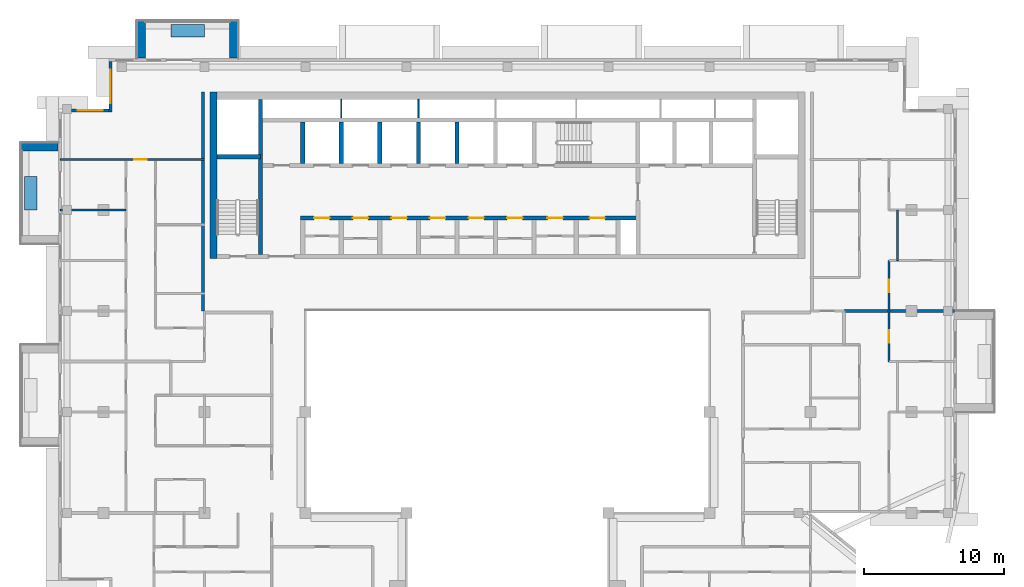
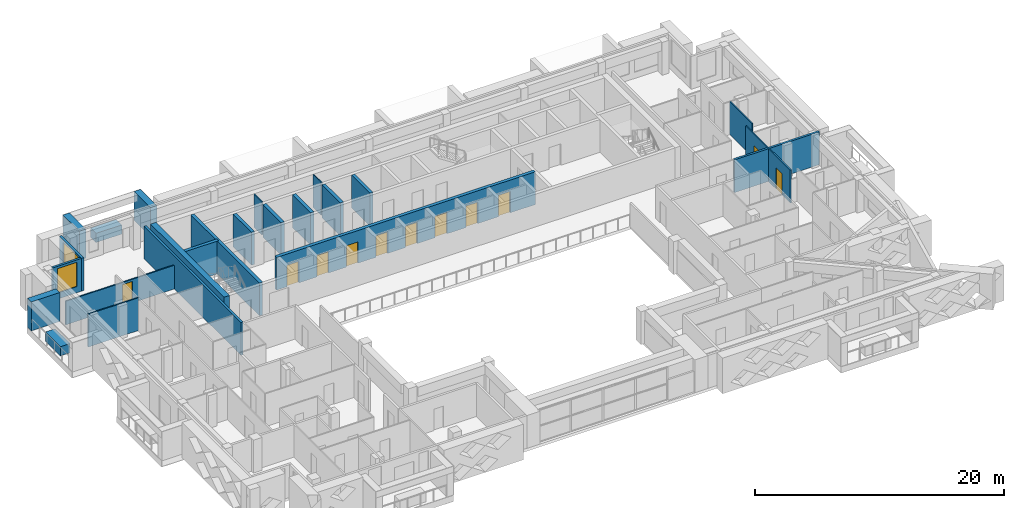
# One storey, part 10 of 19: 24 walls, 11 doors, 2 windows, 13 openings.
"""IFC4 building model written with IfcOpenShell, lengths in metres."""

from ifc_helpers import new_model, si_unit, direction, frame, frame_2d, origin, place, context, subcontext, project, spatial, rectangle, extrude, material, layer, layer_set, type_object, element, fill, save


model = new_model("IFC4")

# Units and contexts
model_context = context("Model", 3, precision=1e-05, world=origin(), true_north=direction((0.0, 1.0)))
body_context = subcontext(model_context, "Body", "Model", "MODEL_VIEW")
ifc_project = project(units=[si_unit("LENGTHUNIT", "METRE"), si_unit("AREAUNIT", "SQUARE_METRE"), si_unit("VOLUMEUNIT", "CUBIC_METRE"), si_unit("PLANEANGLEUNIT", "RADIAN"), si_unit("MASSUNIT", "GRAM", prefix="KILO")], contexts=[model_context])

# Site, building, storey
site_placement = place(None, origin())
site = spatial("IfcSite", under=ifc_project, at=site_placement, CompositionType="ELEMENT")
building_placement = place(site_placement, origin())
building = spatial("IfcBuilding", under=site, at=building_placement, Name="Saffron Iwan Residences", CompositionType="ELEMENT")
storey_placement = place(building_placement, frame((0.0, 0.0, 239.5)))
storey = spatial("IfcBuildingStorey", under=building, at=storey_placement, Name="L64", CompositionType="ELEMENT", Elevation=239.5)

# Walls
ifc_material_1 = material(Name="Concrete C50/60 white painted", Category="concrete")
ifc_layer_1 = layer(ifc_material_1, 0.60009765625)
ifc_layer_set_1 = layer_set([ifc_layer_1], Name="Concrete C50/60 white painted")
wall_type_1 = type_object("IfcWallType", Name="BALCONY FIN 600", PredefinedType="SOLIDWALL", material=ifc_layer_set_1)
for number, where, z_axis, x_axis, name in (
    (1, (30.89990234375, 80.449951171875, 0.0), (0.0, 0.0, 1.0), (0.0, 1.0, 0.0), "Balcony fin L64 F5-3a"),
    (2, (24.300048828125, 80.449951171875, 0.0), (0.0, 0.0, 1.0), (0.0, 1.0, 0.0), "Balcony fin L64 F5-3b"),
    (3, (18.35009765625, 74.10009765625, 0.0), (0.0, 0.0, 1.0), (-1.0, 0.0, 0.0), "Balcony fin L64 F8-0a"),
):
    element("IfcWall", number, at=place(storey_placement, frame(where, z_axis=z_axis, x_axis=x_axis)), inside=storey, type_object=wall_type_1, Name=name, PredefinedType="SOLIDWALL", context=body_context, shape_type="SweptSolid", body=[
        extrude(rectangle(XDim=2.650146484375, YDim=0.60009765625, at=frame_2d((1.3251953125, 0.0))), origin(), (0.0, 0.0, 1.0), 2.85009765625),
    ])
ifc_material_2 = material(Name="Concrete C35/45 white painted", Category="concrete")
ifc_layer_2 = layer(ifc_material_2, 0.14990234375)
ifc_layer_set_2 = layer_set([ifc_layer_2], Name="Concrete C35/45 white painted")
wall_type_2 = type_object("IfcWallType", Name="BALCONY PLANTER", PredefinedType="SOLIDWALL", material=ifc_layer_set_2)
wall_1_placement = place(storey_placement, frame((28.800048828125, 82.375, 0.0), z_axis=(0.0, 0.0, 1.0), x_axis=(-1.0, 0.0, 0.0)))
element("IfcWall", 4, at=wall_1_placement, inside=storey, type_object=wall_type_2, Name="PLANTER L64 F5-3", PredefinedType="SOLIDWALL", context=body_context, shape_type="SweptSolid", body=[
    extrude(rectangle(XDim=2.400146484375, YDim=0.89990234375, at=frame_2d((1.2001953125, 0.0))), origin(), (0.0, 0.0, 1.0), 0.89990234375),
])
wall_2_placement = place(storey_placement, frame((16.425048828125, 72.0, 0.0), z_axis=(0.0, 0.0, 1.0), x_axis=(0.0, -1.0, 0.0)))
element("IfcWall", 5, at=wall_2_placement, inside=storey, type_object=wall_type_2, Name="PLANTER L64 F8-0", PredefinedType="SOLIDWALL", context=body_context, shape_type="SweptSolid", body=[
    extrude(rectangle(XDim=2.39990234375, YDim=0.89990234375, at=frame_2d((1.199951171875, 0.0))), origin(), (0.0, 0.0, 1.0), 0.89990234375),
])

# Wall, opening, window
ifc_material_3 = material(Name="Concrete C40/50", Category="concrete")
ifc_layer_3 = layer(ifc_material_3, 0.199951171875)
ifc_layer_set_3 = layer_set([ifc_layer_3], Name="Concrete C40/50")
wall_type_3 = type_object("IfcWallType", Name="EXTERNAL WALL 200", PredefinedType="SOLIDWALL", material=ifc_layer_set_3)
wall_3_placement = place(storey_placement, frame((22.10009765625, 80.199951171875, 0.0), z_axis=(0.0, 0.0, 1.0), x_axis=(0.0, -1.0, 0.0)))
wall_3 = element("IfcWall", 6, at=wall_3_placement, inside=storey, type_object=wall_type_3, Name="External wall L64 F6.0", PredefinedType="SOLIDWALL", context=body_context, shape_type="SweptSolid", body=[
    extrude(rectangle(XDim=3.599853515625, YDim=0.199951171875, at=frame_2d((1.7998046875, 0.0))), origin(), (0.0, 0.0, 1.0), 3.219970703125),
])
opening_1_placement = place(wall_3_placement, frame((0.60009765625, 0.0, 0.60009765625)))
opening_1 = element("IfcOpeningElement", 7, at=opening_1_placement, cuts=wall_3, Name="Opening W1", PredefinedType="OPENING", context=body_context, shape_type="SweptSolid", body=[
    extrude(rectangle(XDim=2.39990234375, YDim=2.39990234375, at=frame_2d((1.199951171875, 1.199951171875))), frame((0.0, 0.10986328125, 0.0), z_axis=(0.0, -1.0, 0.0), x_axis=(1.0, 0.0, 0.0)), (0.0, 0.0, 1.0), 0.219970703125),
])
ifc_material_4 = material(Name="Clear glass, laminated double glazed", Category="glass")
window_type_1 = type_object("IfcWindowType", Name="WINDOW 2400 x 2400", PartitioningType="DOUBLE_PANEL_VERTICAL", PredefinedType="WINDOW", material=ifc_material_4)
window_1_placement = place(opening_1_placement, origin())
window_1 = element("IfcWindow", 8, at=window_1_placement, inside=storey, type_object=window_type_1, Name="Window L64 F6.0", OverallHeight=2.39990234375, OverallWidth=2.39990234375, PartitioningType="DOUBLE_PANEL_VERTICAL", PredefinedType="WINDOW", context=body_context, shape_type="SweptSolid", body=[
    extrude(rectangle(XDim=2.39990234375, YDim=2.39990234375, at=frame_2d((1.199951171875, 1.199951171875))), frame((0.0, 0.030029296875, 0.0), z_axis=(0.0, -1.0, 0.0), x_axis=(1.0, 0.0, 0.0)), (0.0, 0.0, 1.0), 0.06005859375),
])
fill(opening_1, window_1)

wall_4_placement = place(storey_placement, frame((22.0, 76.699951171875, 0.0), z_axis=(0.0, 0.0, 1.0), x_axis=(-1.0, 0.0, 0.0)))
wall_4 = element("IfcWall", 9, at=wall_4_placement, inside=storey, type_object=wall_type_3, Name="External wall L64 F7.0", PredefinedType="SOLIDWALL", context=body_context, shape_type="SweptSolid", body=[
    extrude(rectangle(XDim=2.675048828125, YDim=0.199951171875, at=frame_2d((1.33740234375, 0.0))), origin(), (0.0, 0.0, 1.0), 3.219970703125),
])
opening_2_placement = place(wall_4_placement, frame((0.4375, 0.0, 0.60009765625)))
opening_2 = element("IfcOpeningElement", 10, at=opening_2_placement, cuts=wall_4, Name="Opening W8", PredefinedType="OPENING", context=body_context, shape_type="SweptSolid", body=[
    extrude(rectangle(XDim=1.800048828125, YDim=2.39990234375, at=frame_2d((0.89990234375, 1.199951171875))), frame((0.0, 0.10986328125, 0.0), z_axis=(0.0, -1.0, 0.0), x_axis=(1.0, 0.0, 0.0)), (0.0, 0.0, 1.0), 0.219970703125),
])
window_type_2 = type_object("IfcWindowType", Name="WINDOW 1800 x 2400", PartitioningType="DOUBLE_PANEL_VERTICAL", PredefinedType="WINDOW", material=ifc_material_4)
window_2_placement = place(opening_2_placement, origin())
window_2 = element("IfcWindow", 11, at=window_2_placement, inside=storey, type_object=window_type_2, Name="Window L64 F7.0", OverallHeight=2.39990234375, OverallWidth=1.800048828125, PartitioningType="DOUBLE_PANEL_VERTICAL", PredefinedType="WINDOW", context=body_context, shape_type="SweptSolid", body=[
    extrude(rectangle(XDim=1.800048828125, YDim=2.39990234375, at=frame_2d((0.89990234375, 1.199951171875))), frame((0.0, 0.030029296875, 0.0), z_axis=(0.0, -1.0, 0.0), x_axis=(1.0, 0.0, 0.0)), (0.0, 0.0, 1.0), 0.06005859375),
])
fill(opening_2, window_2)

# Walls
ifc_material_5 = material(Name="Fire-rated gypsum board wall")
ifc_layer_4 = layer(ifc_material_5, 0.199951171875)
ifc_layer_set_4 = layer_set([ifc_layer_4], Name="Fire-rated gypsum board wall")
wall_type_4 = type_object("IfcWallType", Name="Flat demising wall 200", PredefinedType="SOLIDWALL", material=ifc_layer_set_4)
wall_5_placement = place(storey_placement, frame((74.39990234375, 62.39990234375, 0.0), z_axis=(0.0, 0.0, 1.0), x_axis=(1.0, 0.0, 0.0)))
element("IfcWall", 12, at=wall_5_placement, inside=storey, type_object=wall_type_4, Name="W-L64-DEMISE-h62.4-74.4", PredefinedType="SOLIDWALL", context=body_context, shape_type="SweptSolid", body=[
    extrude(rectangle(XDim=7.875, YDim=0.199951171875, at=frame_2d((3.9375, 0.0))), origin(), (0.0, 0.0, 1.0), 3.219970703125),
])
ifc_material_6 = material(Name="Gypsum board partition")
ifc_layer_5 = layer(ifc_material_6, 0.1201171875)
ifc_layer_set_5 = layer_set([ifc_layer_5], Name="Gypsum board partition")
wall_type_5 = type_object("IfcWallType", Name="Flat partition 120", PredefinedType="PARTITIONING", material=ifc_layer_set_5)
wall_6_placement = place(storey_placement, frame((18.52490234375, 69.60009765625, 0.0), z_axis=(0.0, 0.0, 1.0), x_axis=(1.0, 0.0, 0.0)))
element("IfcWall", 13, at=wall_6_placement, inside=storey, type_object=wall_type_5, Name="W-L64-PART-h69.6-18.525", PredefinedType="PARTITIONING", context=body_context, shape_type="SweptSolid", body=[
    extrude(rectangle(XDim=4.675048828125, YDim=0.1201171875, at=frame_2d((2.33740234375, 0.0))), origin(), (0.0, 0.0, 1.0), 3.219970703125),
])

# Wall, opening, door
wall_7_placement = place(storey_placement, frame((18.52490234375, 73.199951171875, 0.0), z_axis=(0.0, 0.0, 1.0), x_axis=(1.0, 0.0, 0.0)))
wall_7 = element("IfcWall", 14, at=wall_7_placement, inside=storey, type_object=wall_type_5, Name="W-L64-PART-h73.2-18.525", PredefinedType="PARTITIONING", context=body_context, shape_type="SweptSolid", body=[
    extrude(rectangle(XDim=10.275146484375, YDim=0.1201171875, at=frame_2d((5.1376953125, 0.0))), origin(), (0.0, 0.0, 1.0), 2.320068359375),
])
opening_3_placement = place(wall_7_placement, frame((5.27490234375, 0.0, 0.0)))
opening_3 = element("IfcOpeningElement", 15, at=opening_3_placement, cuts=wall_7, Name="Opening FD2", PredefinedType="OPENING", context=body_context, shape_type="SweptSolid", body=[
    extrude(rectangle(XDim=0.89990234375, YDim=2.10009765625, at=frame_2d((0.449951171875, 1.050048828125))), frame((0.0, 0.070068359375, 0.0), z_axis=(0.0, -1.0, 0.0), x_axis=(1.0, 0.0, 0.0)), (0.0, 0.0, 1.0), 0.14013671875),
])
ifc_material_7 = material(Name="Timber door", Category="wood")
door_type_1 = type_object("IfcDoorType", Name="Flat door 900", OperationType="NOTDEFINED", PredefinedType="DOOR", material=ifc_material_7)
door_1_placement = place(opening_3_placement, origin())
door_1 = element("IfcDoor", 16, at=door_1_placement, inside=storey, type_object=door_type_1, Name="Door L64-029", OperationType="SINGLE_SWING_LEFT", OverallHeight=2.10009765625, OverallWidth=0.89990234375, PredefinedType="DOOR", context=body_context, shape_type="SweptSolid", body=[
    extrude(rectangle(XDim=0.89990234375, YDim=2.10009765625, at=frame_2d((0.449951171875, 1.050048828125))), frame((0.0, 0.02490234375, 0.0), z_axis=(0.0, -1.0, 0.0), x_axis=(1.0, 0.0, 0.0)), (0.0, 0.0, 1.0), 0.050048828125),
])
fill(opening_3, door_1)

# Wall, openings, doors
wall_8_placement = place(storey_placement, frame((77.60009765625, 58.800048828125, 0.0), z_axis=(0.0, 0.0, 1.0), x_axis=(0.0, 1.0, 0.0)))
wall_8 = element("IfcWall", 17, at=wall_8_placement, inside=storey, type_object=wall_type_5, Name="W-L64-PART-v77.6-58.8", PredefinedType="PARTITIONING", context=body_context, shape_type="SweptSolid", body=[
    extrude(rectangle(XDim=7.199951171875, YDim=0.1201171875, at=frame_2d((3.60009765625, 0.0))), origin(), (0.0, 0.0, 1.0), 3.219970703125),
])
opening_4_placement = place(wall_8_placement, frame((1.35009765625, 0.0, 0.0)))
opening_4 = element("IfcOpeningElement", 18, at=opening_4_placement, cuts=wall_8, Name="Opening FD2", PredefinedType="OPENING", context=body_context, shape_type="SweptSolid", body=[
    extrude(rectangle(XDim=0.89990234375, YDim=2.10009765625, at=frame_2d((0.449951171875, 1.050048828125))), frame((0.0, 0.070068359375, 0.0), z_axis=(0.0, -1.0, 0.0), x_axis=(1.0, 0.0, 0.0)), (0.0, 0.0, 1.0), 0.14013671875),
])
opening_5_placement = place(wall_8_placement, frame((4.949951171875, 0.0, 0.0)))
opening_5 = element("IfcOpeningElement", 19, at=opening_5_placement, cuts=wall_8, Name="Opening FD2", PredefinedType="OPENING", context=body_context, shape_type="SweptSolid", body=[
    extrude(rectangle(XDim=0.89990234375, YDim=2.10009765625, at=frame_2d((0.449951171875, 1.050048828125))), frame((0.0, 0.070068359375, 0.0), z_axis=(0.0, -1.0, 0.0), x_axis=(1.0, 0.0, 0.0)), (0.0, 0.0, 1.0), 0.14013671875),
])
door_2_placement = place(opening_4_placement, origin())
door_2 = element("IfcDoor", 20, at=door_2_placement, inside=storey, type_object=door_type_1, Name="Door L64-016", OperationType="SINGLE_SWING_LEFT", OverallHeight=2.10009765625, OverallWidth=0.89990234375, PredefinedType="DOOR", context=body_context, shape_type="SweptSolid", body=[
    extrude(rectangle(XDim=0.89990234375, YDim=2.10009765625, at=frame_2d((0.449951171875, 1.050048828125))), frame((0.0, 0.02490234375, 0.0), z_axis=(0.0, -1.0, 0.0), x_axis=(1.0, 0.0, 0.0)), (0.0, 0.0, 1.0), 0.050048828125),
])
fill(opening_4, door_2)
door_3_placement = place(opening_5_placement, origin())
door_3 = element("IfcDoor", 21, at=door_3_placement, inside=storey, type_object=door_type_1, Name="Door L64-035", OperationType="SINGLE_SWING_LEFT", OverallHeight=2.10009765625, OverallWidth=0.89990234375, PredefinedType="DOOR", context=body_context, shape_type="SweptSolid", body=[
    extrude(rectangle(XDim=0.89990234375, YDim=2.10009765625, at=frame_2d((0.449951171875, 1.050048828125))), frame((0.0, 0.02490234375, 0.0), z_axis=(0.0, -1.0, 0.0), x_axis=(1.0, 0.0, 0.0)), (0.0, 0.0, 1.0), 0.050048828125),
])
fill(opening_5, door_3)

# Walls
wall_9_placement = place(storey_placement, frame((78.199951171875, 66.0, 0.0), z_axis=(0.0, 0.0, 1.0), x_axis=(0.0, 1.0, 0.0)))
element("IfcWall", 22, at=wall_9_placement, inside=storey, type_object=wall_type_5, Name="W-L64-PART-v78.2-66", PredefinedType="PARTITIONING", context=body_context, shape_type="SweptSolid", body=[
    extrude(rectangle(XDim=3.60009765625, YDim=0.1201171875, at=frame_2d((1.800048828125, 0.0))), origin(), (0.0, 0.0, 1.0), 3.219970703125),
])
ifc_layer_6 = layer(ifc_material_5, 0.199951171875)
ifc_layer_set_6 = layer_set([ifc_layer_6], Name="Fire-rated gypsum board wall")
wall_type_6 = type_object("IfcWallType", Name="Gallery wall 200", PredefinedType="SOLIDWALL", material=ifc_layer_set_6)
wall_10_placement = place(storey_placement, frame((28.699951171875, 62.39990234375, 0.0), z_axis=(0.0, 0.0, 1.0), x_axis=(0.0, 1.0, 0.0)))
element("IfcWall", 23, at=wall_10_placement, inside=storey, type_object=wall_type_6, Name="W-L64-CORR-v28.8-62.4", PredefinedType="SOLIDWALL", context=body_context, shape_type="SweptSolid", body=[
    extrude(rectangle(XDim=15.60009765625, YDim=0.199951171875, at=frame_2d((7.800048828125, 0.0))), origin(), (0.0, 0.0, 1.0), 3.219970703125),
])
ifc_material_8 = material(Name="Fire-rated plasterboard partition")
ifc_layer_7 = layer(ifc_material_8, 0.10009765625)
ifc_layer_set_7 = layer_set([ifc_layer_7], Name="Fire-rated plasterboard partition")
wall_type_7 = type_object("IfcWallType", Name="Riser partition 100", PredefinedType="PARTITIONING", material=ifc_layer_set_7)
for number, where, z_axis, x_axis, name in (
    (24, (38.550048828125, 76.175048828125, 0.0), (0.0, 0.0, 1.0), (0.0, 1.0, 0.0), "Core partition P08"),
    (25, (44.050048828125, 76.175048828125, 0.0), (0.0, 0.0, 1.0), (0.0, 1.0, 0.0), "Core partition P09"),
):
    element("IfcWall", number, at=place(storey_placement, frame(where, z_axis=z_axis, x_axis=x_axis)), inside=storey, type_object=wall_type_7, Name=name, PredefinedType="PARTITIONING", context=body_context, shape_type="SweptSolid", body=[
        extrude(rectangle(XDim=1.324951171875, YDim=0.10009765625, at=frame_2d((0.66259765625, 0.0))), origin(), (0.0, 0.0, 1.0), 3.219970703125),
    ])

# Wall, openings, doors
ifc_layer_8 = layer(ifc_material_3, 0.300048828125)
ifc_layer_set_8 = layer_set([ifc_layer_8], Name="Concrete C40/50")
wall_type_8 = type_object("IfcWallType", Name="WALL CORE 300 C40/50 3220 HIGH", PredefinedType="SHEAR", material=ifc_layer_set_8)
wall_11_placement = place(storey_placement, frame((35.64990234375, 69.02490234375, 0.0), z_axis=(0.0, 0.0, 1.0), x_axis=(1.0, 0.0, 0.0)))
wall_11 = element("IfcWall", 26, at=wall_11_placement, inside=storey, type_object=wall_type_8, Name="Core wall", PredefinedType="SHEAR", context=body_context, shape_type="SweptSolid", body=[
    extrude(rectangle(XDim=24.050048828125, YDim=0.300048828125, at=frame_2d((12.02490234375, 0.0))), origin(), (0.0, 0.0, 1.0), 3.219970703125),
])
opening_6_placement = place(wall_11_placement, frame((0.97509765625, 0.0, 0.0)))
opening_6 = element("IfcOpeningElement", 27, at=opening_6_placement, cuts=wall_11, Name="Opening SR", PredefinedType="OPENING", context=body_context, shape_type="SweptSolid", body=[
    extrude(rectangle(XDim=1.10009765625, YDim=2.10009765625, at=frame_2d((0.550048828125, 1.050048828125))), frame((0.0, 0.16015625, 0.0), z_axis=(0.0, -1.0, 0.0), x_axis=(1.0, 0.0, 0.0)), (0.0, 0.0, 1.0), 0.320068359375),
])
opening_7_placement = place(wall_11_placement, frame((3.72509765625, 0.0, 0.0)))
opening_7 = element("IfcOpeningElement", 28, at=opening_7_placement, cuts=wall_11, Name="Opening SR", PredefinedType="OPENING", context=body_context, shape_type="SweptSolid", body=[
    extrude(rectangle(XDim=1.10009765625, YDim=2.10009765625, at=frame_2d((0.550048828125, 1.050048828125))), frame((0.0, 0.16015625, 0.0), z_axis=(0.0, -1.0, 0.0), x_axis=(1.0, 0.0, 0.0)), (0.0, 0.0, 1.0), 0.320068359375),
])
opening_8_placement = place(wall_11_placement, frame((6.47509765625, 0.0, 0.0)))
opening_8 = element("IfcOpeningElement", 29, at=opening_8_placement, cuts=wall_11, Name="Opening SR", PredefinedType="OPENING", context=body_context, shape_type="SweptSolid", body=[
    extrude(rectangle(XDim=1.10009765625, YDim=2.10009765625, at=frame_2d((0.550048828125, 1.050048828125))), frame((0.0, 0.16015625, 0.0), z_axis=(0.0, -1.0, 0.0), x_axis=(1.0, 0.0, 0.0)), (0.0, 0.0, 1.0), 0.320068359375),
])
opening_9_placement = place(wall_11_placement, frame((9.22509765625, 0.0, 0.0)))
opening_9 = element("IfcOpeningElement", 30, at=opening_9_placement, cuts=wall_11, Name="Opening SR", PredefinedType="OPENING", context=body_context, shape_type="SweptSolid", body=[
    extrude(rectangle(XDim=1.10009765625, YDim=2.10009765625, at=frame_2d((0.550048828125, 1.050048828125))), frame((0.0, 0.16015625, 0.0), z_axis=(0.0, -1.0, 0.0), x_axis=(1.0, 0.0, 0.0)), (0.0, 0.0, 1.0), 0.320068359375),
])
opening_10_placement = place(wall_11_placement, frame((11.97509765625, 0.0, 0.0)))
opening_10 = element("IfcOpeningElement", 31, at=opening_10_placement, cuts=wall_11, Name="Opening SR", PredefinedType="OPENING", context=body_context, shape_type="SweptSolid", body=[
    extrude(rectangle(XDim=1.10009765625, YDim=2.10009765625, at=frame_2d((0.550048828125, 1.050048828125))), frame((0.0, 0.16015625, 0.0), z_axis=(0.0, -1.0, 0.0), x_axis=(1.0, 0.0, 0.0)), (0.0, 0.0, 1.0), 0.320068359375),
])
opening_11_placement = place(wall_11_placement, frame((14.72509765625, 0.0, 0.0)))
opening_11 = element("IfcOpeningElement", 32, at=opening_11_placement, cuts=wall_11, Name="Opening SR", PredefinedType="OPENING", context=body_context, shape_type="SweptSolid", body=[
    extrude(rectangle(XDim=1.10009765625, YDim=2.10009765625, at=frame_2d((0.550048828125, 1.050048828125))), frame((0.0, 0.16015625, 0.0), z_axis=(0.0, -1.0, 0.0), x_axis=(1.0, 0.0, 0.0)), (0.0, 0.0, 1.0), 0.320068359375),
])
opening_12_placement = place(wall_11_placement, frame((17.60009765625, 0.0, 0.0)))
opening_12 = element("IfcOpeningElement", 33, at=opening_12_placement, cuts=wall_11, Name="Opening SR", PredefinedType="OPENING", context=body_context, shape_type="SweptSolid", body=[
    extrude(rectangle(XDim=1.10009765625, YDim=2.10009765625, at=frame_2d((0.550048828125, 1.050048828125))), frame((0.0, 0.16015625, 0.0), z_axis=(0.0, -1.0, 0.0), x_axis=(1.0, 0.0, 0.0)), (0.0, 0.0, 1.0), 0.320068359375),
])
opening_13_placement = place(wall_11_placement, frame((20.60009765625, 0.0, 0.0)))
opening_13 = element("IfcOpeningElement", 34, at=opening_13_placement, cuts=wall_11, Name="Opening SR", PredefinedType="OPENING", context=body_context, shape_type="SweptSolid", body=[
    extrude(rectangle(XDim=1.10009765625, YDim=2.10009765625, at=frame_2d((0.550048828125, 1.050048828125))), frame((0.0, 0.16015625, 0.0), z_axis=(0.0, -1.0, 0.0), x_axis=(1.0, 0.0, 0.0)), (0.0, 0.0, 1.0), 0.320068359375),
])
ifc_material_9 = material(Name="Steel fire door", Category="steel")
door_type_2 = type_object("IfcDoorType", Name="Service door 1100", OperationType="NOTDEFINED", PredefinedType="DOOR", material=ifc_material_9)
door_4_placement = place(opening_6_placement, origin())
door_4 = element("IfcDoor", 35, at=door_4_placement, inside=storey, type_object=door_type_2, Name="Door Switch room", OperationType="SINGLE_SWING_RIGHT", OverallHeight=2.10009765625, OverallWidth=1.10009765625, PredefinedType="DOOR", context=body_context, shape_type="SweptSolid", body=[
    extrude(rectangle(XDim=1.10009765625, YDim=2.10009765625, at=frame_2d((0.550048828125, 1.050048828125))), frame((0.0, 0.02490234375, 0.0), z_axis=(0.0, -1.0, 0.0), x_axis=(1.0, 0.0, 0.0)), (0.0, 0.0, 1.0), 0.050048828125),
])
fill(opening_6, door_4)
door_5_placement = place(opening_7_placement, origin())
door_5 = element("IfcDoor", 36, at=door_5_placement, inside=storey, type_object=door_type_2, Name="Door Furniture store", OperationType="SINGLE_SWING_LEFT", OverallHeight=2.10009765625, OverallWidth=1.10009765625, PredefinedType="DOOR", context=body_context, shape_type="SweptSolid", body=[
    extrude(rectangle(XDim=1.10009765625, YDim=2.10009765625, at=frame_2d((0.550048828125, 1.050048828125))), frame((0.0, 0.02490234375, 0.0), z_axis=(0.0, -1.0, 0.0), x_axis=(1.0, 0.0, 0.0)), (0.0, 0.0, 1.0), 0.050048828125),
])
fill(opening_7, door_5)
door_6_placement = place(opening_8_placement, origin())
door_6 = element("IfcDoor", 37, at=door_6_placement, inside=storey, type_object=door_type_2, Name="Door Housekeeping store", OperationType="SINGLE_SWING_RIGHT", OverallHeight=2.10009765625, OverallWidth=1.10009765625, PredefinedType="DOOR", context=body_context, shape_type="SweptSolid", body=[
    extrude(rectangle(XDim=1.10009765625, YDim=2.10009765625, at=frame_2d((0.550048828125, 1.050048828125))), frame((0.0, 0.02490234375, 0.0), z_axis=(0.0, -1.0, 0.0), x_axis=(1.0, 0.0, 0.0)), (0.0, 0.0, 1.0), 0.050048828125),
])
fill(opening_8, door_6)
door_7_placement = place(opening_9_placement, origin())
door_7 = element("IfcDoor", 38, at=door_7_placement, inside=storey, type_object=door_type_2, Name="Door Cleaner's store", OperationType="SINGLE_SWING_LEFT", OverallHeight=2.10009765625, OverallWidth=1.10009765625, PredefinedType="DOOR", context=body_context, shape_type="SweptSolid", body=[
    extrude(rectangle(XDim=1.10009765625, YDim=2.10009765625, at=frame_2d((0.550048828125, 1.050048828125))), frame((0.0, 0.02490234375, 0.0), z_axis=(0.0, -1.0, 0.0), x_axis=(1.0, 0.0, 0.0)), (0.0, 0.0, 1.0), 0.050048828125),
])
fill(opening_9, door_7)
door_8_placement = place(opening_10_placement, origin())
door_8 = element("IfcDoor", 39, at=door_8_placement, inside=storey, type_object=door_type_2, Name="Door Trolley store", OperationType="SINGLE_SWING_RIGHT", OverallHeight=2.10009765625, OverallWidth=1.10009765625, PredefinedType="DOOR", context=body_context, shape_type="SweptSolid", body=[
    extrude(rectangle(XDim=1.10009765625, YDim=2.10009765625, at=frame_2d((0.550048828125, 1.050048828125))), frame((0.0, 0.02490234375, 0.0), z_axis=(0.0, -1.0, 0.0), x_axis=(1.0, 0.0, 0.0)), (0.0, 0.0, 1.0), 0.050048828125),
])
fill(opening_10, door_8)
door_9_placement = place(opening_11_placement, origin())
door_9 = element("IfcDoor", 40, at=door_9_placement, inside=storey, type_object=door_type_2, Name="Door Communications room", OperationType="SINGLE_SWING_LEFT", OverallHeight=2.10009765625, OverallWidth=1.10009765625, PredefinedType="DOOR", context=body_context, shape_type="SweptSolid", body=[
    extrude(rectangle(XDim=1.10009765625, YDim=2.10009765625, at=frame_2d((0.550048828125, 1.050048828125))), frame((0.0, 0.02490234375, 0.0), z_axis=(0.0, -1.0, 0.0), x_axis=(1.0, 0.0, 0.0)), (0.0, 0.0, 1.0), 0.050048828125),
])
fill(opening_11, door_9)
door_10_placement = place(opening_12_placement, origin())
door_10 = element("IfcDoor", 41, at=door_10_placement, inside=storey, type_object=door_type_2, Name="Door Refuse store", OperationType="SINGLE_SWING_RIGHT", OverallHeight=2.10009765625, OverallWidth=1.10009765625, PredefinedType="DOOR", context=body_context, shape_type="SweptSolid", body=[
    extrude(rectangle(XDim=1.10009765625, YDim=2.10009765625, at=frame_2d((0.550048828125, 1.050048828125))), frame((0.0, 0.02490234375, 0.0), z_axis=(0.0, -1.0, 0.0), x_axis=(1.0, 0.0, 0.0)), (0.0, 0.0, 1.0), 0.050048828125),
])
fill(opening_12, door_10)
door_11_placement = place(opening_13_placement, origin())
door_11 = element("IfcDoor", 42, at=door_11_placement, inside=storey, type_object=door_type_2, Name="Door Maintenance store", OperationType="SINGLE_SWING_RIGHT", OverallHeight=2.10009765625, OverallWidth=1.10009765625, PredefinedType="DOOR", context=body_context, shape_type="SweptSolid", body=[
    extrude(rectangle(XDim=1.10009765625, YDim=2.10009765625, at=frame_2d((0.550048828125, 1.050048828125))), frame((0.0, 0.02490234375, 0.0), z_axis=(0.0, -1.0, 0.0), x_axis=(1.0, 0.0, 0.0)), (0.0, 0.0, 1.0), 0.050048828125),
])
fill(opening_13, door_11)

# Walls
wall_12_placement = place(storey_placement, frame((29.699951171875, 73.39990234375, 0.0), z_axis=(0.0, 0.0, 1.0), x_axis=(1.0, 0.0, 0.0)))
element("IfcWall", 43, at=wall_12_placement, inside=storey, type_object=wall_type_8, Name="Core wall", PredefinedType="SHEAR", context=body_context, shape_type="SweptSolid", body=[
    extrude(rectangle(XDim=3.10009765625, YDim=0.300048828125, at=frame_2d((1.550048828125, 0.0))), origin(), (0.0, 0.0, 1.0), 3.219970703125),
])
wall_13_placement = place(storey_placement, frame((32.800048828125, 66.449951171875, 0.0), z_axis=(0.0, 0.0, 1.0), x_axis=(0.0, 1.0, 0.0)))
element("IfcWall", 44, at=wall_13_placement, inside=storey, type_object=wall_type_8, Name="Core wall", PredefinedType="SHEAR", context=body_context, shape_type="SweptSolid", body=[
    extrude(rectangle(XDim=11.050048828125, YDim=0.300048828125, at=frame_2d((5.52490234375, 0.0))), origin(), (0.0, 0.0, 1.0), 3.219970703125),
])
for number, where, z_axis, x_axis, name in (
    (45, (35.800048828125, 72.925048828125, 0.0), (0.0, 0.0, 1.0), (0.0, 1.0, 0.0), "Core wall"),
    (46, (38.550048828125, 72.925048828125, 0.0), (0.0, 0.0, 1.0), (0.0, 1.0, 0.0), "Core wall"),
    (47, (41.300048828125, 72.925048828125, 0.0), (0.0, 0.0, 1.0), (0.0, 1.0, 0.0), "Core wall"),
    (48, (44.050048828125, 72.925048828125, 0.0), (0.0, 0.0, 1.0), (0.0, 1.0, 0.0), "Core wall"),
    (49, (46.800048828125, 72.925048828125, 0.0), (0.0, 0.0, 1.0), (0.0, 1.0, 0.0), "Core wall"),
):
    element("IfcWall", number, at=place(storey_placement, frame(where, z_axis=z_axis, x_axis=x_axis)), inside=storey, type_object=wall_type_8, Name=name, PredefinedType="SHEAR", context=body_context, shape_type="SweptSolid", body=[
        extrude(rectangle(XDim=2.949951171875, YDim=0.300048828125, at=frame_2d((1.47509765625, 0.0))), origin(), (0.0, 0.0, 1.0), 3.219970703125),
    ])
ifc_layer_9 = layer(ifc_material_3, 0.5)
ifc_layer_set_9 = layer_set([ifc_layer_9], Name="Concrete C40/50")
wall_type_9 = type_object("IfcWallType", Name="WALL CORE 500 C40/50 3220 HIGH", PredefinedType="SHEAR", material=ifc_layer_set_9)
wall_14_placement = place(storey_placement, frame((29.449951171875, 66.14990234375, 0.0), z_axis=(0.0, 0.0, 1.0), x_axis=(0.0, 1.0, 0.0)))
element("IfcWall", 50, at=wall_14_placement, inside=storey, type_object=wall_type_9, Name="Core wall", PredefinedType="SHEAR", context=body_context, shape_type="SweptSolid", body=[
    extrude(rectangle(XDim=11.85009765625, YDim=0.5, at=frame_2d((5.925048828125, 0.0))), origin(), (0.0, 0.0, 1.0), 3.219970703125),
])

save(model, "model.ifc")
